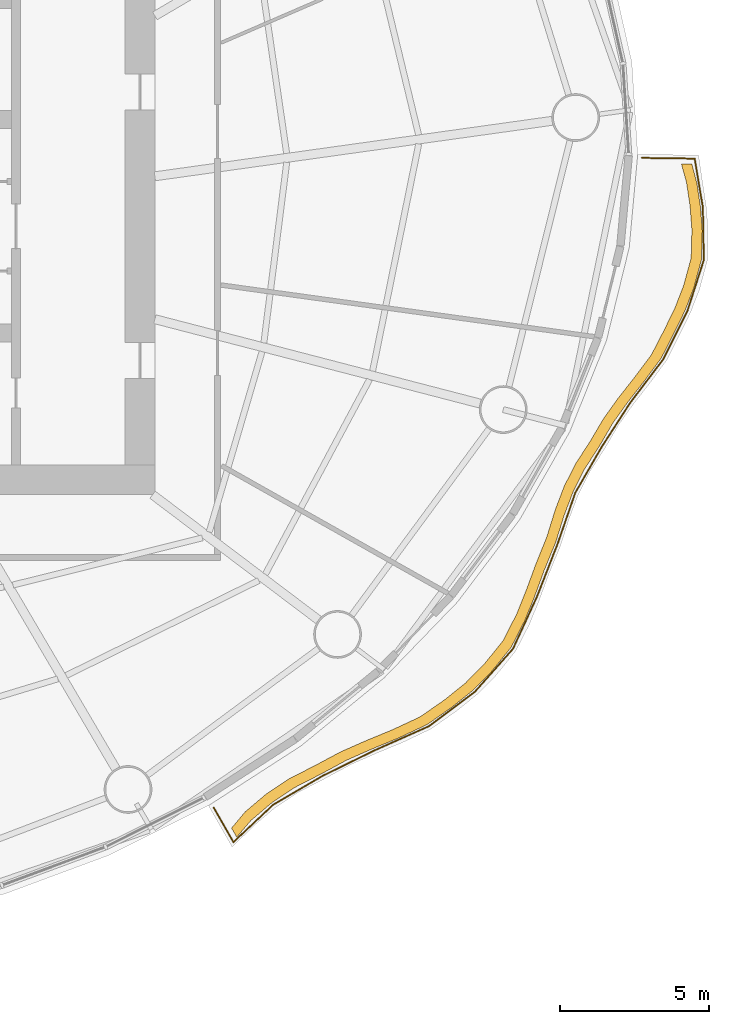
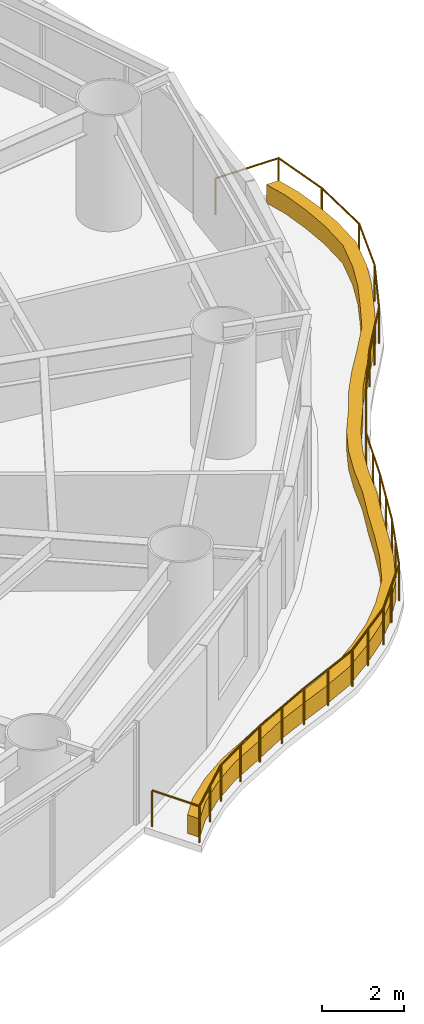
# One storey, part 14 of 16: 1 covering, 1 railing.
"""IFC4 building model written with IfcOpenShell, lengths in metres."""

import ifcopenshell
import ifcopenshell.guid

model = None  # the IFC model being written
_history = None  # IfcOwnerHistory: only IFC2X3 demands one
_inside = {}  # id of a spatial element -> (the spatial element, [elements in it])
_under = {}  # id of a project, library or spatial element -> (it, [spatial elements below it])
_declared = {}  # id of a project -> (the project, [libraries it declares])
_typed = {}  # id of a type object -> (the type object, [elements of that type])
_made_of = {}  # id of a material, layer set ... -> (it, [elements and type objects made of it])


def new_model(schema):
    """Start an empty IFC model of exactly this schema.

    Asked for "IFC4X3", IfcOpenShell would pick the latest addendum, in which some entities
    have other attributes; the version numbers below select the first issue.
    IFC2X3 requires an IfcOwnerHistory on every rooted entity: one is made here for all.
    """
    global model, _history
    if schema == "IFC4X3":
        model = ifcopenshell.file(schema_version=(4, 3, 0, 0))
    else:
        model = ifcopenshell.file(schema=schema)
    _inside.clear()
    _under.clear()
    _declared.clear()
    _typed.clear()
    _made_of.clear()
    _history = None
    if model.schema == "IFC2X3":
        org = make("IfcOrganization", Name="unknown")
        user = make(
            "IfcPersonAndOrganization",
            ThePerson=make("IfcPerson", FamilyName="unknown"),
            TheOrganization=org,
        )
        app = make(
            "IfcApplication",
            ApplicationDeveloper=org,
            Version="unknown",
            ApplicationFullName="unknown",
            ApplicationIdentifier="unknown",
        )
        _history = make(
            "IfcOwnerHistory",
            OwningUser=user,
            OwningApplication=app,
            ChangeAction="ADDED",
            CreationDate=0,
        )
    return model


def make(cls, **values):
    """One entity of the class cls with the attributes given. An attribute that is None is left unset."""
    return model.create_entity(
        cls, **{name: value for name, value in values.items() if value is not None}
    )


def rooted(cls, **values):
    """An entity with a GlobalId (a new one), such as an element, a storey or a relation."""
    return make(cls, GlobalId=ifcopenshell.guid.new(), OwnerHistory=_history, **values)


def si_unit(unit_type, name, prefix=None):
    """IfcSIUnit, for example si_unit("LENGTHUNIT", "METRE", prefix="MILLI")."""
    return make("IfcSIUnit", UnitType=unit_type, Prefix=prefix, Name=name)


def assignment(units):
    """IfcUnitAssignment: the units of a project."""
    return None if units is None else make("IfcUnitAssignment", Units=units)


def point(xyz):
    """IfcCartesianPoint."""
    return None if xyz is None else make("IfcCartesianPoint", Coordinates=xyz)


def direction(xyz):
    """IfcDirection."""
    return None if xyz is None else make("IfcDirection", DirectionRatios=xyz)


def frame(location, z_axis=None, x_axis=None):
    """IfcAxis2Placement3D, a coordinate frame: its origin and axes. An axis left out is left unset."""
    return make(
        "IfcAxis2Placement3D",
        Location=point(location),
        Axis=direction(z_axis),
        RefDirection=direction(x_axis),
    )


def frame_2d(location, x_axis=None):
    """IfcAxis2Placement2D, a coordinate frame in the plane: its origin and x axis."""
    return make(
        "IfcAxis2Placement2D", Location=point(location), RefDirection=direction(x_axis)
    )


def origin():
    """The frame at (0, 0, 0) with its axes left unset."""
    return frame((0.0, 0.0, 0.0))


def origin_2d():
    """The frame at (0, 0) in the plane with its x axis left unset."""
    return frame_2d((0.0, 0.0))


def place(relative_to, where):
    """IfcLocalPlacement: puts the frame where relative to a parent placement (None: the world)."""
    return make(
        "IfcLocalPlacement", PlacementRelTo=relative_to, RelativePlacement=where
    )


def context(
    kind, dimensions, precision=None, world=None, true_north=None, identifier=None
):
    """IfcGeometricRepresentationContext, for example the 3D "Model" context."""
    return make(
        "IfcGeometricRepresentationContext",
        ContextIdentifier=identifier,
        ContextType=kind,
        CoordinateSpaceDimension=dimensions,
        Precision=precision,
        WorldCoordinateSystem=world,
        TrueNorth=true_north,
    )


def subcontext(parent, identifier, kind, view, scale=None):
    """IfcGeometricRepresentationSubContext, for example "Body" below "Model"."""
    return make(
        "IfcGeometricRepresentationSubContext",
        ContextIdentifier=identifier,
        ContextType=kind,
        ParentContext=parent,
        TargetScale=scale,
        TargetView=view,
    )


def project(units=None, contexts=None):
    """IfcProject with its units and contexts."""
    return rooted(
        "IfcProject",
        Name="project",
        RepresentationContexts=contexts,
        UnitsInContext=assignment(units),
    )


def spatial(cls, under=None, at=None, **own):
    """A site, building, storey or space (cls), placed at a placement, below another one or the project."""
    s = rooted(cls, ObjectPlacement=at, **own)
    if under is not None:
        _under.setdefault(under.id(), (under, []))[1].append(s)
    return s


def polyline(points):
    """IfcPolyline through the points."""
    return make("IfcPolyline", Points=[point(p) for p in points])


def profile(cls, at=None, kind="AREA", **sizes):
    """A parametric profile (cls). Its sizes go by their IFC names, for example OverallWidth=200.0."""
    return make(cls, ProfileType=kind, Position=at, **sizes)


def circle(**sizes):
    """IfcCircleProfileDef."""
    return profile("IfcCircleProfileDef", **sizes)


def outline(outer, holes=None, kind="AREA"):
    """IfcArbitraryClosedProfileDef: a profile drawn as a closed curve; with holes, ...WithVoids."""
    if holes is None:
        return make("IfcArbitraryClosedProfileDef", ProfileType=kind, OuterCurve=outer)
    return make(
        "IfcArbitraryProfileDefWithVoids",
        ProfileType=kind,
        OuterCurve=outer,
        InnerCurves=holes,
    )


def extrude(swept, where, along, depth):
    """IfcExtrudedAreaSolid: the profile swept, set in the frame where, extruded along a direction by depth."""
    return make(
        "IfcExtrudedAreaSolid",
        SweptArea=swept,
        Position=where,
        ExtrudedDirection=direction(along),
        Depth=depth,
    )


def shape(context_of_items, identifier, shape_type, items):
    """IfcShapeRepresentation: the items that make up one representation, for example the "Body"."""
    return make(
        "IfcShapeRepresentation",
        ContextOfItems=context_of_items,
        RepresentationIdentifier=identifier,
        RepresentationType=shape_type,
        Items=items,
    )


def material(Name=None, Category=None):
    """IfcMaterial."""
    return make("IfcMaterial", Name=Name, Category=Category)


def made_of(thing, what):
    """Note that an element or type object is made of a material, layer set ...; save() writes the relation."""
    if what is not None:
        _made_of.setdefault(what.id(), (what, []))[1].append(thing)
    return thing


def type_object(cls, material=None, **own):
    """A type object (cls), such as IfcWallType, which elements share."""
    return made_of(rooted(cls, **own), material)


def element(
    cls,
    number,
    at=None,
    inside=None,
    cuts=None,
    type_object=None,
    material=None,
    context=None,
    identifier="Body",
    shape_type=None,
    held_by="IfcProductDefinitionShape",
    body=None,
    shapes=None,
    **own,
):
    """One element of the class cls, such as IfcWall. Its Tag is "e" and its number.

    at: its placement. inside: the storey or other place that contains it. cuts: it is an
    opening in that element (IfcRelVoidsElement). A single representation is given by context,
    identifier, shape_type and body (its items); several are given by shapes. held_by: the class
    of the entity that holds the representations. save() writes the other relations.
    """
    e = rooted(cls, Tag="e%d" % number, ObjectPlacement=at, **own)
    if body is not None:
        shapes = [shape(context, identifier, shape_type, body)]
    if shapes is not None:
        e.Representation = make(held_by, Representations=shapes)
    if inside is not None:
        _inside.setdefault(inside.id(), (inside, []))[1].append(e)
    if cuts is not None:
        rooted(
            "IfcRelVoidsElement", RelatingBuildingElement=cuts, RelatedOpeningElement=e
        )
    if type_object is not None:
        _typed.setdefault(type_object.id(), (type_object, []))[1].append(e)
    return made_of(e, material)


def aggregate(whole, parts):
    """IfcRelAggregates: a whole, such as a stair, and the parts it consists of."""
    return rooted("IfcRelAggregates", RelatingObject=whole, RelatedObjects=parts)


def save(model, path):
    """Write the relations noted so far, then the file.

    IfcRelAggregates (storeys below a building ...), IfcRelContainedInSpatialStructure (elements
    in a storey), IfcRelDefinesByType, IfcRelAssociatesMaterial and IfcRelDeclares: one each for
    every whole, place, type object, material and project.
    """
    for whole, parts in _under.values():
        aggregate(whole, parts)
    for where, things in _inside.values():
        rooted(
            "IfcRelContainedInSpatialStructure",
            RelatedElements=things,
            RelatingStructure=where,
        )
    for kind, things in _typed.values():
        rooted("IfcRelDefinesByType", RelatedObjects=things, RelatingType=kind)
    for what, things in _made_of.values():
        rooted("IfcRelAssociatesMaterial", RelatedObjects=things, RelatingMaterial=what)
    for by, libraries in _declared.values():
        rooted("IfcRelDeclares", RelatingContext=by, RelatedDefinitions=libraries)
    model.write(path)


model = new_model("IFC4")

# Units and contexts
model_context = context("Model", 3, precision=1e-05, world=origin(), true_north=direction((0.0, 1.0)))
body_context = subcontext(model_context, "Body", "Model", "MODEL_VIEW")
ifc_project = project(units=[si_unit("LENGTHUNIT", "METRE"), si_unit("AREAUNIT", "SQUARE_METRE"), si_unit("VOLUMEUNIT", "CUBIC_METRE"), si_unit("PLANEANGLEUNIT", "RADIAN"), si_unit("MASSUNIT", "GRAM", prefix="KILO")], contexts=[model_context])

# Site, building, storey
site_placement = place(None, origin())
site = spatial("IfcSite", under=ifc_project, at=site_placement, CompositionType="ELEMENT")
building_placement = place(site_placement, origin())
building = spatial("IfcBuilding", under=site, at=building_placement, Name="Vermilion Reach Broadcast Tower", CompositionType="ELEMENT")
storey_placement = place(building_placement, frame((0.0, 0.0, 103.0)))
storey = spatial("IfcBuildingStorey", under=building, at=storey_placement, Name="L23", CompositionType="ELEMENT", Elevation=103.0)

# Covering
ifc_material_1 = material(Name="Planting soil and greenery")
covering_type = type_object("IfcCoveringType", Name="Balcony PLANTER", PredefinedType="USERDEFINED", material=ifc_material_1)
covering_placement = place(storey_placement, origin())
element("IfcCovering", 1, at=covering_placement, inside=storey, type_object=covering_type, Name="PLANTER L23 group 4", ObjectType="PLANTER", PredefinedType="USERDEFINED", context=body_context, shape_type="SweptSolid", body=[
    extrude(outline(polyline([(8.74365234375, -20.4794921875), (9.21533203125, -19.92578125), (9.922607421875, -19.325927734375), (10.688232421875, -18.816650390625), (11.568603515625, -18.36474609375), (12.438232421875, -17.8955078125), (13.297119140625, -17.516357421875), (14.17138671875, -17.15576171875), (15.130615234375, -16.702880859375), (15.9736328125, -16.111328125), (16.669921875, -15.55078125), (17.293701171875, -14.92041015625), (17.944091796875, -14.11572265625), (18.411865234375, -13.203369140625), (18.745361328125, -12.3701171875), (19.0576171875, -11.520751953125), (19.43359375, -10.604736328125), (19.72119140625, -9.691650390625), (20.025390625, -8.893310546875), (20.406005859375, -8.138427734375), (20.905517578125, -7.36572265625), (21.36376953125, -6.5830078125), (21.855712890625, -5.894287109375), (22.385009765625, -5.220703125), (22.974853515625, -4.423828125), (23.41357421875, -3.56396484375), (23.773681640625, -2.825927734375), (24.066650390625, -2.071533203125), (24.323974609375, -1.1201171875), (24.3525390625, -0.150146484375), (24.291015625, 0.64453125), (24.1708984375, 1.444580078125), (24.0009765625, 2.090576171875), (23.65087890625, 2.09521484375), (23.822509765625, 1.476318359375), (23.942626953125, 0.67626953125), (24.004150390625, -0.118408203125), (23.978759765625, -1.0625), (23.7265625, -1.98828125), (23.43359375, -2.74267578125), (23.073486328125, -3.480712890625), (22.6416015625, -4.31640625), (22.060302734375, -5.090087890625), (21.531005859375, -5.763671875), (21.0390625, -6.452392578125), (20.59033203125, -7.21337890625), (20.101806640625, -7.96533203125), (19.72119140625, -8.719970703125), (19.4169921875, -9.518310546875), (19.14111328125, -10.412353515625), (18.778076171875, -11.31005859375), (18.4658203125, -12.159423828125), (18.13232421875, -12.99267578125), (17.677978515625, -13.88818359375), (17.0419921875, -14.677001953125), (16.418212890625, -15.3076171875), (15.721923828125, -15.867919921875), (14.8935546875, -16.4453125), (13.949951171875, -16.885009765625), (13.07568359375, -17.245361328125), (12.216552734375, -17.62451171875), (11.362548828125, -18.081787109375), (10.49853515625, -18.522705078125), (9.73291015625, -19.03173828125), (9.025390625, -19.631591796875), (8.5703125, -20.175537109375), (8.74365234375, -20.4794921875)])), origin(), (0.0, 0.0, 1.0), 0.550048828125),
])

# Railing
ifc_material_2 = material(Name="Stainless steel 316 balustrade", Category="steel")
railing_type = type_object("IfcRailingType", Name="Balcony guard 1100", PredefinedType="BALUSTRADE", material=ifc_material_2)
railing_placement = place(storey_placement, frame((7.971435546875, -19.488037109375, 0.0)))
element("IfcRailing", 2, at=railing_placement, inside=storey, type_object=railing_type, Name="Balcony guard L23 group 4", PredefinedType="BALUSTRADE", context=body_context, shape_type="SweptSolid", body=[
    extrude(circle(Radius=0.02490234375, at=origin_2d()), frame((0.0, 0.0, 1.0751953125), z_axis=(0.495251409601, -0.868749700022, 0.0), x_axis=(0.868749700022, 0.495251409601, 0.0)), (0.0, 0.0, 1.0), 1.33349609375),
    extrude(circle(Radius=0.02490234375, at=origin_2d()), frame((0.660400390625, -1.158447265625, 1.0751953125), z_axis=(0.728771424602, 0.684757045005, 0.0), x_axis=(-0.684757045005, 0.728771424602, 0.0)), (0.0, 0.0, 1.0), 1.83056640625),
    extrude(circle(Radius=0.02490234375, at=origin_2d()), frame((1.994384765625, 0.094970703125, 1.0751953125), z_axis=(0.863477479765, 0.504387392724, 0.0), x_axis=(-0.504387392724, 0.863477479765, 0.0)), (0.0, 0.0, 1.0), 1.910400390625),
    extrude(circle(Radius=0.02490234375, at=origin_2d()), frame((3.64404296875, 1.05859375, 1.0751953125), z_axis=(0.897542031924, 0.440928906889, 0.0), x_axis=(-0.440928906889, 0.897542031924, 0.0)), (0.0, 0.0, 1.0), 1.93017578125),
    extrude(circle(Radius=0.02490234375, at=origin_2d()), frame((5.37646484375, 1.90966796875, 1.0751953125), z_axis=(0.913766469917, 0.406239877973, 0.0), x_axis=(-0.406239877973, 0.913766469917, 0.0)), (0.0, 0.0, 1.0), 2.01025390625),
    extrude(circle(Radius=0.02490234375, at=origin_2d()), frame((7.21337890625, 2.726318359375, 1.0751953125), z_axis=(0.800440602777, 0.599412079813, 0.0), x_axis=(-0.599412079813, 0.800440602777, 0.0)), (0.0, 0.0, 1.0), 1.92724609375),
    extrude(circle(Radius=0.02490234375, at=origin_2d()), frame((8.756103515625, 3.881591796875, 1.0751953125), z_axis=(0.663922648306, 0.747801255058, 0.0), x_axis=(-0.747801255058, 0.663922648306, 0.0)), (0.0, 0.0, 1.0), 1.923828125),
    extrude(circle(Radius=0.02490234375, at=origin_2d()), frame((10.033447265625, 5.3203125, 1.0751953125), z_axis=(0.417811415264, 0.908533775528, 0.0), x_axis=(-0.908533775528, 0.417811415264, 0.0)), (0.0, 0.0, 1.0), 1.92529296875),
    extrude(circle(Radius=0.02490234375, at=origin_2d()), frame((10.837890625, 7.069580078125, 1.0751953125), z_axis=(0.363779104777, 0.931485245684, 0.0), x_axis=(-0.931485245684, 0.363779104777, 0.0)), (0.0, 0.0, 1.0), 1.89990234375),
    extrude(circle(Radius=0.02490234375, at=origin_2d()), frame((11.529052734375, 8.83935546875, 1.0751953125), z_axis=(0.327258333733, 0.9449349094, 0.0), x_axis=(-0.9449349094, 0.327258333733, 0.0)), (0.0, 0.0, 1.0), 1.81591796875),
    extrude(circle(Radius=0.02490234375, at=origin_2d()), frame((12.123291015625, 10.55517578125, 1.0751953125), z_axis=(0.49916864156, 0.866504857045, 0.0), x_axis=(-0.866504857045, 0.49916864156, 0.0)), (0.0, 0.0, 1.0), 1.7685546875),
    extrude(circle(Radius=0.02490234375, at=origin_2d()), frame((13.006103515625, 12.087646484375, 1.0751953125), z_axis=(0.542161690989, 0.840274181933, 0.0), x_axis=(-0.840274181933, 0.542161690989, 0.0)), (0.0, 0.0, 1.0), 1.756591796875),
    extrude(circle(Radius=0.02490234375, at=origin_2d()), frame((13.95849609375, 13.563720703125, 1.0751953125), z_axis=(0.604752565209, 0.796413419571, 0.0), x_axis=(-0.796413419571, 0.604752565209, 0.0)), (0.0, 0.0, 1.0), 1.853515625),
    extrude(circle(Radius=0.02490234375, at=origin_2d()), frame((15.079345703125, 15.039794921875, 1.0751953125), z_axis=(0.446723072924, 0.894672284201, 0.0), x_axis=(-0.894672284201, 0.446723072924, 0.0)), (0.0, 0.0, 1.0), 1.7919921875),
    extrude(circle(Radius=0.02490234375, at=origin_2d()), frame((15.8798828125, 16.64306640625, 1.0751953125), z_axis=(0.306804451879, 0.951772571735, 0.0), x_axis=(-0.951772571735, 0.306804451879, 0.0)), (0.0, 0.0, 1.0), 1.79833984375),
    extrude(circle(Radius=0.02490234375, at=origin_2d()), frame((16.431640625, 18.354736328125, 1.0751953125), z_axis=(-0.018198860878, 0.999834387018, 0.0), x_axis=(-0.999834387018, -0.018198860878, 0.0)), (0.0, 0.0, 1.0), 1.770751953125),
    extrude(circle(Radius=0.02490234375, at=origin_2d()), frame((16.3994140625, 20.125244140625, 1.0751953125), z_axis=(-0.165308432929, 0.986241918599, 0.0), x_axis=(-0.986241918599, -0.165308432929, 0.0)), (0.0, 0.0, 1.0), 1.654052734375),
    extrude(circle(Radius=0.02490234375, at=origin_2d()), frame((16.1259765625, 21.756591796875, 1.0751953125), z_axis=(-0.999902950495, 0.013931604083, 0.0), x_axis=(-0.013931604083, -0.999902950495, 0.0)), (0.0, 0.0, 1.0), 1.77001953125),
    extrude(circle(Radius=0.02490234375, at=origin_2d()), origin(), (0.0, 0.0, 1.0), 1.050048828125),
    extrude(circle(Radius=0.02490234375, at=origin_2d()), frame((0.660400390625, -1.158447265625, 0.0)), (0.0, 0.0, 1.0), 1.050048828125),
    extrude(circle(Radius=0.02490234375, at=origin_2d()), frame((1.327392578125, -0.53173828125, 0.0)), (0.0, 0.0, 1.0), 1.050048828125),
    extrude(circle(Radius=0.02490234375, at=origin_2d()), frame((1.994384765625, 0.094970703125, 0.0)), (0.0, 0.0, 1.0), 1.050048828125),
    extrude(circle(Radius=0.02490234375, at=origin_2d()), frame((2.8193359375, 0.57666015625, 0.0)), (0.0, 0.0, 1.0), 1.050048828125),
    extrude(circle(Radius=0.02490234375, at=origin_2d()), frame((3.64404296875, 1.05859375, 0.0)), (0.0, 0.0, 1.0), 1.050048828125),
    extrude(circle(Radius=0.02490234375, at=origin_2d()), frame((4.51025390625, 1.484130859375, 0.0)), (0.0, 0.0, 1.0), 1.050048828125),
    extrude(circle(Radius=0.02490234375, at=origin_2d()), frame((5.37646484375, 1.90966796875, 0.0)), (0.0, 0.0, 1.0), 1.050048828125),
    extrude(circle(Radius=0.02490234375, at=origin_2d()), frame((6.294921875, 2.31787109375, 0.0)), (0.0, 0.0, 1.0), 1.050048828125),
    extrude(circle(Radius=0.02490234375, at=origin_2d()), frame((7.21337890625, 2.726318359375, 0.0)), (0.0, 0.0, 1.0), 1.050048828125),
    extrude(circle(Radius=0.02490234375, at=origin_2d()), frame((7.98486328125, 3.303955078125, 0.0)), (0.0, 0.0, 1.0), 1.050048828125),
    extrude(circle(Radius=0.02490234375, at=origin_2d()), frame((8.756103515625, 3.881591796875, 0.0)), (0.0, 0.0, 1.0), 1.050048828125),
    extrude(circle(Radius=0.02490234375, at=origin_2d()), frame((9.394775390625, 4.60107421875, 0.0)), (0.0, 0.0, 1.0), 1.050048828125),
    extrude(circle(Radius=0.02490234375, at=origin_2d()), frame((10.033447265625, 5.3203125, 0.0)), (0.0, 0.0, 1.0), 1.050048828125),
    extrude(circle(Radius=0.02490234375, at=origin_2d()), frame((10.435546875, 6.19482421875, 0.0)), (0.0, 0.0, 1.0), 1.050048828125),
    extrude(circle(Radius=0.02490234375, at=origin_2d()), frame((10.837890625, 7.069580078125, 0.0)), (0.0, 0.0, 1.0), 1.050048828125),
    extrude(circle(Radius=0.02490234375, at=origin_2d()), frame((11.18359375, 7.95458984375, 0.0)), (0.0, 0.0, 1.0), 1.050048828125),
    extrude(circle(Radius=0.02490234375, at=origin_2d()), frame((11.529052734375, 8.83935546875, 0.0)), (0.0, 0.0, 1.0), 1.050048828125),
    extrude(circle(Radius=0.02490234375, at=origin_2d()), frame((11.826171875, 9.697265625, 0.0)), (0.0, 0.0, 1.0), 1.050048828125),
    extrude(circle(Radius=0.02490234375, at=origin_2d()), frame((12.123291015625, 10.55517578125, 0.0)), (0.0, 0.0, 1.0), 1.050048828125),
    extrude(circle(Radius=0.02490234375, at=origin_2d()), frame((13.006103515625, 12.087646484375, 0.0)), (0.0, 0.0, 1.0), 1.050048828125),
    extrude(circle(Radius=0.02490234375, at=origin_2d()), frame((13.95849609375, 13.563720703125, 0.0)), (0.0, 0.0, 1.0), 1.050048828125),
    extrude(circle(Radius=0.02490234375, at=origin_2d()), frame((14.51904296875, 14.3017578125, 0.0)), (0.0, 0.0, 1.0), 1.050048828125),
    extrude(circle(Radius=0.02490234375, at=origin_2d()), frame((15.079345703125, 15.039794921875, 0.0)), (0.0, 0.0, 1.0), 1.050048828125),
    extrude(circle(Radius=0.02490234375, at=origin_2d()), frame((15.8798828125, 16.64306640625, 0.0)), (0.0, 0.0, 1.0), 1.050048828125),
    extrude(circle(Radius=0.02490234375, at=origin_2d()), frame((16.431640625, 18.354736328125, 0.0)), (0.0, 0.0, 1.0), 1.050048828125),
    extrude(circle(Radius=0.02490234375, at=origin_2d()), frame((16.3994140625, 20.125244140625, 0.0)), (0.0, 0.0, 1.0), 1.050048828125),
    extrude(circle(Radius=0.02490234375, at=origin_2d()), frame((16.1259765625, 21.756591796875, 0.0)), (0.0, 0.0, 1.0), 1.050048828125),
    extrude(circle(Radius=0.02490234375, at=origin_2d()), frame((14.356201171875, 21.78125, 0.0)), (0.0, 0.0, 1.0), 1.050048828125),
])

save(model, "model.ifc")
